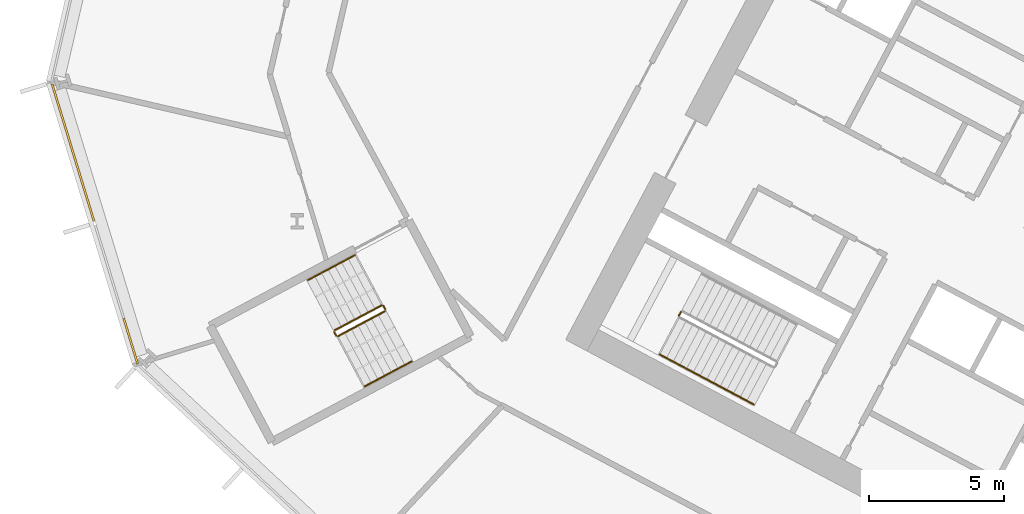
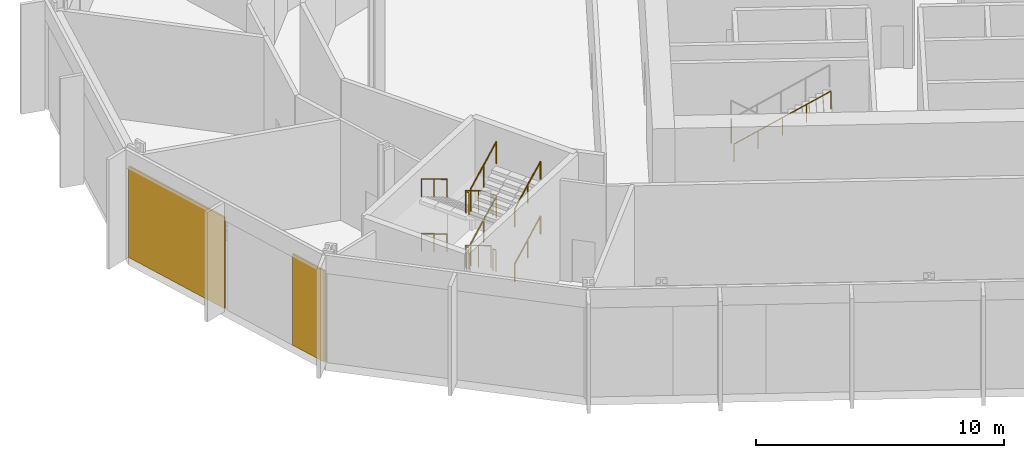
# One storey, part 22 of 31: 14 railings, 2 coverings, 1 element without a shape of its own.
"""IFC4 building model written with IfcOpenShell, lengths in metres."""

from ifc_helpers import new_model, si_unit, direction, frame, origin, origin_2d, place, context, subcontext, project, spatial, polyline, rectangle, outline, extrude, material, layer, layer_set, type_object, element, aggregate, save


model = new_model("IFC4")

# Units and contexts
model_context = context("Model", 3, precision=1e-05, world=origin(), true_north=direction((0.0, 1.0)))
body_context = subcontext(model_context, "Body", "Model", "MODEL_VIEW")
ifc_project = project(units=[si_unit("LENGTHUNIT", "METRE"), si_unit("AREAUNIT", "SQUARE_METRE"), si_unit("VOLUMEUNIT", "CUBIC_METRE"), si_unit("PLANEANGLEUNIT", "RADIAN"), si_unit("MASSUNIT", "GRAM", prefix="KILO")], contexts=[model_context])

# Site, building, storey
site_placement = place(None, origin())
site = spatial("IfcSite", under=ifc_project, at=site_placement, CompositionType="ELEMENT")
building_placement = place(site_placement, origin())
building = spatial("IfcBuilding", under=site, at=building_placement, Name="Cormorant Relay Tower", CompositionType="ELEMENT")
storey_placement = place(building_placement, frame((0.0, 0.0, 23.0)))
storey = spatial("IfcBuildingStorey", under=building, at=storey_placement, Name="L04", CompositionType="ELEMENT", Elevation=23.0)

# Curtain wall, coverings
ifc_material_1 = material(Name="Aluminium 6063-T6 anodised bronze", Category="aluminium")
ifc_layer_1 = layer(ifc_material_1, 0.235107421875)
ifc_layer_set_1 = layer_set([ifc_layer_1], Name="CW6 data hall curtain wall with mineral wool panels")
curtain_wall_type = type_object("IfcCurtainWallType", Name="CW6 data hall curtain wall with mineral wool panels", PredefinedType="NOTDEFINED", material=ifc_layer_set_1)
curtain_wall_placement = place(storey_placement, origin())
curtain_wall = element("IfcCurtainWall", 1, at=curtain_wall_placement, inside=storey, type_object=curtain_wall_type, Name="CW6 curtain wall 12", PredefinedType="NOTDEFINED")
ifc_material_2 = material(Name="Mineral wool cored anodised bronze aluminium cassette panel", Category="aluminium")
ifc_layer_2 = layer(ifc_material_2, 0.074951171875)
ifc_layer_set_2 = layer_set([ifc_layer_2], Name="CW6 mineral wool cassette panel 75")
covering_type = type_object("IfcCoveringType", Name="CW6 mineral wool cassette panel 75", PredefinedType="CLADDING", material=ifc_layer_set_2)
covering_1_placement = place(storey_placement, frame((-59.961181640625, 17.783447265625, 0.0), z_axis=(0.0, 0.0, 1.0), x_axis=(0.292371704723, -0.956304755963, 0.0)))
covering_1 = element("IfcCovering", 2, at=covering_1_placement, type_object=covering_type, Name="CW6 panel S00", PredefinedType="CLADDING", context=body_context, shape_type="SweptSolid", body=[
    extrude(rectangle(XDim=5.28515625, YDim=0.074951171875, at=origin_2d()), origin(), (0.0, 0.0, 1.0), 4.5),
])
covering_2_placement = place(storey_placement, frame((-57.834716796875, 10.82861328125, 0.0), z_axis=(0.0, 0.0, 1.0), x_axis=(0.292371704723, -0.956304755963, 0.0)))
covering_2 = element("IfcCovering", 3, at=covering_2_placement, type_object=covering_type, Name="CW6 panel S02", PredefinedType="CLADDING", context=body_context, shape_type="SweptSolid", body=[
    extrude(rectangle(XDim=1.76025390625, YDim=0.074951171875, at=origin_2d()), origin(), (0.0, 0.0, 1.0), 4.5),
])
aggregate(curtain_wall, [covering_1, covering_2])

# Railings
ifc_material_3 = material(Name="Steel ASTM A572 Grade 50 (Fy 345 MPa)", Category="steel")
railing_type_1 = type_object("IfcRailingType", Name="Stair guard 1100", PredefinedType="GUARDRAIL", material=ifc_material_3)
railing_1_placement = place(storey_placement, frame((-37.52099609375, 11.908935546875, 2.699951171875)))
element("IfcRailing", 4, at=railing_1_placement, inside=storey, type_object=railing_type_1, Name="L04 A2 stair guard 2", PredefinedType="GUARDRAIL", context=body_context, shape_type="SweptSolid", body=[
    extrude(outline(polyline([(0.022216796875, 0.00927734375), (0.00927734375, 0.022216796875), (-0.00927734375, 0.022216796875), (-0.022216796875, 0.00927734375), (-0.022216796875, -0.00927734375), (-0.00927734375, -0.022216796875), (0.00927734375, -0.022216796875), (0.022216796875, -0.00927734375), (0.022216796875, 0.00927734375)])), frame((0.0, 0.0, 1.076171875), z_axis=(-0.469234640946, -0.883073525669, 0.0), x_axis=(0.883073525669, -0.469234640946, 0.0)), (0.0, 0.0, 1.0), 0.14990234375),
    extrude(outline(polyline([(0.019287109375, 0.008056640625), (0.008056640625, 0.019287109375), (-0.008056640625, 0.019287109375), (-0.019287109375, 0.008056640625), (-0.019287109375, -0.008056640625), (-0.008056640625, -0.019287109375), (0.008056640625, -0.019287109375), (0.019287109375, -0.008056640625), (0.019287109375, 0.008056640625)])), origin(), (0.0, 0.0, 1.0), 1.052001953125),
    extrude(outline(polyline([(0.019287109375, 0.008056640625), (0.008056640625, 0.019287109375), (-0.008056640625, 0.019287109375), (-0.019287109375, 0.008056640625), (-0.019287109375, -0.008056640625), (-0.008056640625, -0.019287109375), (0.008056640625, -0.019287109375), (0.019287109375, -0.008056640625), (0.019287109375, 0.008056640625)])), frame((-0.0703125, -0.13232421875, 0.0)), (0.0, 0.0, 1.0), 1.052001953125),
])
railing_2_placement = place(storey_placement, frame((-48.5693359375, 12.155517578125, 0.168701171875)))
element("IfcRailing", 5, at=railing_2_placement, inside=storey, type_object=railing_type_1, Name="L04 RP1 stair guard 1", PredefinedType="GUARDRAIL", context=body_context, shape_type="SweptSolid", body=[
    extrude(outline(polyline([(0.022216796875, 0.00927734375), (0.00927734375, 0.022216796875), (-0.00927734375, 0.022216796875), (-0.022216796875, 0.00927734375), (-0.022216796875, -0.00927734375), (-0.00927734375, -0.022216796875), (0.00927734375, -0.022216796875), (0.022216796875, -0.00927734375), (0.022216796875, 0.00927734375)])), frame((0.0, 0.0, 1.076171875), z_axis=(-0.756226349707, -0.402061942735, 0.516205290765), x_axis=(0.469443581604, -0.882962470149, 0.0)), (0.0, 0.0, 1.0), 2.28857421875),
    extrude(outline(polyline([(0.019287109375, 0.008056640625), (0.008056640625, 0.019287109375), (-0.008056640625, 0.019287109375), (-0.019287109375, 0.008056640625), (-0.019287109375, -0.008056640625), (-0.008056640625, -0.019287109375), (0.008056640625, -0.019287109375), (0.019287109375, -0.008056640625), (0.019287109375, 0.008056640625)])), origin(), (0.0, 0.0, 1.0), 1.052001953125),
    extrude(outline(polyline([(0.019287109375, 0.008056640625), (0.008056640625, 0.019287109375), (-0.008056640625, 0.019287109375), (-0.019287109375, 0.008056640625), (-0.019287109375, -0.008056640625), (-0.008056640625, -0.019287109375), (0.008056640625, -0.019287109375), (0.019287109375, -0.008056640625), (0.019287109375, 0.008056640625)])), frame((-0.865234375, -0.4599609375, 0.5908203125)), (0.0, 0.0, 1.0), 1.052001953125),
    extrude(outline(polyline([(0.019287109375, 0.008056640625), (0.008056640625, 0.019287109375), (-0.008056640625, 0.019287109375), (-0.019287109375, 0.008056640625), (-0.019287109375, -0.008056640625), (-0.008056640625, -0.019287109375), (0.008056640625, -0.019287109375), (0.019287109375, -0.008056640625), (0.019287109375, 0.008056640625)])), frame((-1.730712890625, -0.920166015625, 1.181396484375)), (0.0, 0.0, 1.0), 1.052001953125),
])
railing_3_placement = place(storey_placement, frame((-50.320556640625, 11.167724609375, 1.35009765625)))
element("IfcRailing", 6, at=railing_3_placement, inside=storey, type_object=railing_type_1, Name="L04 RP1 stair guard 2", PredefinedType="GUARDRAIL", context=body_context, shape_type="SweptSolid", body=[
    extrude(outline(polyline([(0.022216796875, 0.00927734375), (0.00927734375, 0.022216796875), (-0.00927734375, 0.022216796875), (-0.022216796875, 0.00927734375), (-0.022216796875, -0.00927734375), (-0.00927734375, -0.022216796875), (0.00927734375, -0.022216796875), (0.022216796875, -0.00927734375), (0.022216796875, 0.00927734375)])), frame((0.0, 0.0, 1.076171875), z_axis=(0.46856034887, -0.8834314911, 0.0), x_axis=(0.8834314911, 0.46856034887, 0.0)), (0.0, 0.0, 1.0), 0.150146484375),
    extrude(outline(polyline([(0.019287109375, 0.008056640625), (0.008056640625, 0.019287109375), (-0.008056640625, 0.019287109375), (-0.019287109375, 0.008056640625), (-0.019287109375, -0.008056640625), (-0.008056640625, -0.019287109375), (0.008056640625, -0.019287109375), (0.019287109375, -0.008056640625), (0.019287109375, 0.008056640625)])), origin(), (0.0, 0.0, 1.0), 1.052001953125),
    extrude(outline(polyline([(0.019287109375, 0.008056640625), (0.008056640625, 0.019287109375), (-0.008056640625, 0.019287109375), (-0.019287109375, 0.008056640625), (-0.019287109375, -0.008056640625), (-0.008056640625, -0.019287109375), (0.008056640625, -0.019287109375), (0.019287109375, -0.008056640625), (0.019287109375, 0.008056640625)])), frame((0.0703125, -0.132568359375, 0.0)), (0.0, 0.0, 1.0), 1.052001953125),
])
railing_4_placement = place(storey_placement, frame((-50.1826171875, 11.014404296875, 1.518798828125)))
element("IfcRailing", 7, at=railing_4_placement, inside=storey, type_object=railing_type_1, Name="L04 RP1 stair guard 3", PredefinedType="GUARDRAIL", context=body_context, shape_type="SweptSolid", body=[
    extrude(outline(polyline([(0.022216796875, 0.00927734375), (0.00927734375, 0.022216796875), (-0.00927734375, 0.022216796875), (-0.022216796875, 0.00927734375), (-0.022216796875, -0.00927734375), (-0.00927734375, -0.022216796875), (0.00927734375, -0.022216796875), (0.022216796875, -0.00927734375), (0.022216796875, 0.00927734375)])), frame((0.0, 0.0, 1.076171875), z_axis=(0.756267991755, 0.402084082512, 0.516127034012), x_axis=(-0.469443581604, 0.882962470149, 0.0)), (0.0, 0.0, 1.0), 2.28857421875),
    extrude(outline(polyline([(0.019287109375, 0.008056640625), (0.008056640625, 0.019287109375), (-0.008056640625, 0.019287109375), (-0.019287109375, 0.008056640625), (-0.019287109375, -0.008056640625), (-0.008056640625, -0.019287109375), (0.008056640625, -0.019287109375), (0.019287109375, -0.008056640625), (0.019287109375, 0.008056640625)])), origin(), (0.0, 0.0, 1.0), 1.052001953125),
    extrude(outline(polyline([(0.019287109375, 0.008056640625), (0.008056640625, 0.019287109375), (-0.008056640625, 0.019287109375), (-0.019287109375, 0.008056640625), (-0.019287109375, -0.008056640625), (-0.008056640625, -0.019287109375), (0.008056640625, -0.019287109375), (0.019287109375, -0.008056640625), (0.019287109375, 0.008056640625)])), frame((0.865234375, 0.4599609375, 0.590576171875)), (0.0, 0.0, 1.0), 1.052001953125),
    extrude(outline(polyline([(0.019287109375, 0.008056640625), (0.008056640625, 0.019287109375), (-0.008056640625, 0.019287109375), (-0.019287109375, 0.008056640625), (-0.019287109375, -0.008056640625), (-0.008056640625, -0.019287109375), (0.008056640625, -0.019287109375), (0.019287109375, -0.008056640625), (0.019287109375, 0.008056640625)])), frame((1.730712890625, 0.920166015625, 1.18115234375)), (0.0, 0.0, 1.0), 1.052001953125),
])
railing_5_placement = place(storey_placement, frame((-48.501708984375, 12.134765625, 2.699951171875)))
element("IfcRailing", 8, at=railing_5_placement, inside=storey, type_object=railing_type_1, Name="L04 RP1 stair guard 4", PredefinedType="GUARDRAIL", context=body_context, shape_type="SweptSolid", body=[
    extrude(outline(polyline([(0.022216796875, 0.00927734375), (0.00927734375, 0.022216796875), (-0.00927734375, 0.022216796875), (-0.022216796875, 0.00927734375), (-0.022216796875, -0.00927734375), (-0.00927734375, -0.022216796875), (0.00927734375, -0.022216796875), (0.022216796875, -0.00927734375), (0.022216796875, 0.00927734375)])), frame((0.0, 0.0, 1.076171875), z_axis=(0.46856034887, -0.8834314911, 0.0), x_axis=(0.8834314911, 0.46856034887, 0.0)), (0.0, 0.0, 1.0), 0.150146484375),
    extrude(outline(polyline([(0.019287109375, 0.008056640625), (0.008056640625, 0.019287109375), (-0.008056640625, 0.019287109375), (-0.019287109375, 0.008056640625), (-0.019287109375, -0.008056640625), (-0.008056640625, -0.019287109375), (0.008056640625, -0.019287109375), (0.019287109375, -0.008056640625), (0.019287109375, 0.008056640625)])), origin(), (0.0, 0.0, 1.0), 1.052001953125),
    extrude(outline(polyline([(0.019287109375, 0.008056640625), (0.008056640625, 0.019287109375), (-0.008056640625, 0.019287109375), (-0.019287109375, 0.008056640625), (-0.019287109375, -0.008056640625), (-0.008056640625, -0.019287109375), (0.008056640625, -0.019287109375), (0.019287109375, -0.008056640625), (0.019287109375, 0.008056640625)])), frame((0.0703125, -0.132568359375, 0.0)), (0.0, 0.0, 1.0), 1.052001953125),
])
railing_6_placement = place(storey_placement, frame((-48.5693359375, 12.155517578125, 2.86865234375)))
element("IfcRailing", 9, at=railing_6_placement, inside=storey, type_object=railing_type_1, Name="L04 RP1 stair guard 5", PredefinedType="GUARDRAIL", context=body_context, shape_type="SweptSolid", body=[
    extrude(outline(polyline([(0.022216796875, 0.00927734375), (0.00927734375, 0.022216796875), (-0.00927734375, 0.022216796875), (-0.022216796875, 0.00927734375), (-0.022216796875, -0.00927734375), (-0.00927734375, -0.022216796875), (0.00927734375, -0.022216796875), (0.022216796875, -0.00927734375), (0.022216796875, 0.00927734375)])), frame((0.0, 0.0, 1.076171875), z_axis=(-0.756226349707, -0.402061942735, 0.516205290765), x_axis=(0.469443581604, -0.882962470149, 0.0)), (0.0, 0.0, 1.0), 2.28857421875),
    extrude(outline(polyline([(0.019287109375, 0.008056640625), (0.008056640625, 0.019287109375), (-0.008056640625, 0.019287109375), (-0.019287109375, 0.008056640625), (-0.019287109375, -0.008056640625), (-0.008056640625, -0.019287109375), (0.008056640625, -0.019287109375), (0.019287109375, -0.008056640625), (0.019287109375, 0.008056640625)])), origin(), (0.0, 0.0, 1.0), 1.052001953125),
    extrude(outline(polyline([(0.019287109375, 0.008056640625), (0.008056640625, 0.019287109375), (-0.008056640625, 0.019287109375), (-0.019287109375, 0.008056640625), (-0.019287109375, -0.008056640625), (-0.008056640625, -0.019287109375), (0.008056640625, -0.019287109375), (0.019287109375, -0.008056640625), (0.019287109375, 0.008056640625)])), frame((-0.865234375, -0.4599609375, 0.5908203125)), (0.0, 0.0, 1.0), 1.052001953125),
    extrude(outline(polyline([(0.019287109375, 0.008056640625), (0.008056640625, 0.019287109375), (-0.008056640625, 0.019287109375), (-0.019287109375, 0.008056640625), (-0.019287109375, -0.008056640625), (-0.008056640625, -0.019287109375), (0.008056640625, -0.019287109375), (0.019287109375, -0.008056640625), (0.019287109375, 0.008056640625)])), frame((-1.730712890625, -0.920166015625, 1.181396484375)), (0.0, 0.0, 1.0), 1.052001953125),
])
railing_7_placement = place(storey_placement, frame((-50.320556640625, 11.167724609375, 4.050048828125)))
element("IfcRailing", 10, at=railing_7_placement, inside=storey, type_object=railing_type_1, Name="L04 RP1 stair guard 6", PredefinedType="GUARDRAIL", context=body_context, shape_type="SweptSolid", body=[
    extrude(outline(polyline([(0.022216796875, 0.00927734375), (0.00927734375, 0.022216796875), (-0.00927734375, 0.022216796875), (-0.022216796875, 0.00927734375), (-0.022216796875, -0.00927734375), (-0.00927734375, -0.022216796875), (0.00927734375, -0.022216796875), (0.022216796875, -0.00927734375), (0.022216796875, 0.00927734375)])), frame((0.0, 0.0, 1.076171875), z_axis=(0.46856034887, -0.8834314911, 0.0), x_axis=(0.8834314911, 0.46856034887, 0.0)), (0.0, 0.0, 1.0), 0.150146484375),
    extrude(outline(polyline([(0.019287109375, 0.008056640625), (0.008056640625, 0.019287109375), (-0.008056640625, 0.019287109375), (-0.019287109375, 0.008056640625), (-0.019287109375, -0.008056640625), (-0.008056640625, -0.019287109375), (0.008056640625, -0.019287109375), (0.019287109375, -0.008056640625), (0.019287109375, 0.008056640625)])), origin(), (0.0, 0.0, 1.0), 1.052001953125),
    extrude(outline(polyline([(0.019287109375, 0.008056640625), (0.008056640625, 0.019287109375), (-0.008056640625, 0.019287109375), (-0.019287109375, 0.008056640625), (-0.019287109375, -0.008056640625), (-0.008056640625, -0.019287109375), (0.008056640625, -0.019287109375), (0.019287109375, -0.008056640625), (0.019287109375, 0.008056640625)])), frame((0.0703125, -0.132568359375, 0.0)), (0.0, 0.0, 1.0), 1.052001953125),
])
railing_8_placement = place(storey_placement, frame((-50.1826171875, 11.014404296875, 4.21875)))
element("IfcRailing", 11, at=railing_8_placement, inside=storey, type_object=railing_type_1, Name="L04 RP1 stair guard 7", PredefinedType="GUARDRAIL", context=body_context, shape_type="SweptSolid", body=[
    extrude(outline(polyline([(0.022216796875, 0.00927734375), (0.00927734375, 0.022216796875), (-0.00927734375, 0.022216796875), (-0.022216796875, 0.00927734375), (-0.022216796875, -0.00927734375), (-0.00927734375, -0.022216796875), (0.00927734375, -0.022216796875), (0.022216796875, -0.00927734375), (0.022216796875, 0.00927734375)])), frame((0.0, 0.0, 1.076171875), z_axis=(0.756267991755, 0.402084082512, 0.516127034012), x_axis=(-0.469443581604, 0.882962470149, 0.0)), (0.0, 0.0, 1.0), 2.28857421875),
    extrude(outline(polyline([(0.019287109375, 0.008056640625), (0.008056640625, 0.019287109375), (-0.008056640625, 0.019287109375), (-0.019287109375, 0.008056640625), (-0.019287109375, -0.008056640625), (-0.008056640625, -0.019287109375), (0.008056640625, -0.019287109375), (0.019287109375, -0.008056640625), (0.019287109375, 0.008056640625)])), origin(), (0.0, 0.0, 1.0), 1.052001953125),
    extrude(outline(polyline([(0.019287109375, 0.008056640625), (0.008056640625, 0.019287109375), (-0.008056640625, 0.019287109375), (-0.019287109375, 0.008056640625), (-0.019287109375, -0.008056640625), (-0.008056640625, -0.019287109375), (0.008056640625, -0.019287109375), (0.019287109375, -0.008056640625), (0.019287109375, 0.008056640625)])), frame((0.865234375, 0.4599609375, 0.590576171875)), (0.0, 0.0, 1.0), 1.052001953125),
    extrude(outline(polyline([(0.019287109375, 0.008056640625), (0.008056640625, 0.019287109375), (-0.008056640625, 0.019287109375), (-0.019287109375, 0.008056640625), (-0.019287109375, -0.008056640625), (-0.008056640625, -0.019287109375), (0.008056640625, -0.019287109375), (0.019287109375, -0.008056640625), (0.019287109375, 0.008056640625)])), frame((1.730712890625, 0.920166015625, 1.18115234375)), (0.0, 0.0, 1.0), 1.052001953125),
])
railing_9_placement = place(storey_placement, frame((-48.501708984375, 12.134765625, 0.0)))
element("IfcRailing", 12, at=railing_9_placement, inside=storey, type_object=railing_type_1, Name="L04 RP1 stair guard 8", PredefinedType="GUARDRAIL", context=body_context, shape_type="SweptSolid", body=[
    extrude(outline(polyline([(0.022216796875, 0.00927734375), (0.00927734375, 0.022216796875), (-0.00927734375, 0.022216796875), (-0.022216796875, 0.00927734375), (-0.022216796875, -0.00927734375), (-0.00927734375, -0.022216796875), (0.00927734375, -0.022216796875), (0.022216796875, -0.00927734375), (0.022216796875, 0.00927734375)])), frame((0.0, 0.0, 1.076171875), z_axis=(0.46856034887, -0.8834314911, 0.0), x_axis=(0.8834314911, 0.46856034887, 0.0)), (0.0, 0.0, 1.0), 0.150146484375),
    extrude(outline(polyline([(0.019287109375, 0.008056640625), (0.008056640625, 0.019287109375), (-0.008056640625, 0.019287109375), (-0.019287109375, 0.008056640625), (-0.019287109375, -0.008056640625), (-0.008056640625, -0.019287109375), (0.008056640625, -0.019287109375), (0.019287109375, -0.008056640625), (0.019287109375, 0.008056640625)])), origin(), (0.0, 0.0, 1.0), 1.052001953125),
    extrude(outline(polyline([(0.019287109375, 0.008056640625), (0.008056640625, 0.019287109375), (-0.008056640625, 0.019287109375), (-0.019287109375, 0.008056640625), (-0.019287109375, -0.008056640625), (-0.008056640625, -0.019287109375), (0.008056640625, -0.019287109375), (0.019287109375, -0.008056640625), (0.019287109375, 0.008056640625)])), frame((0.0703125, -0.132568359375, 0.0)), (0.0, 0.0, 1.0), 1.052001953125),
])
ifc_material_4 = material(Name="Steel ASTM A572 Grade 50 (Fy 345 MPa)", Category="steel")
railing_type_2 = type_object("IfcRailingType", Name="Stair handrail 900", PredefinedType="HANDRAIL", material=ifc_material_4)
railing_10_placement = place(storey_placement, frame((-38.29833984375, 10.34033203125, 2.8798828125)))
element("IfcRailing", 13, at=railing_10_placement, inside=storey, type_object=railing_type_2, Name="L04 A2 stair handrail 2", PredefinedType="HANDRAIL", context=body_context, shape_type="SweptSolid", body=[
    extrude(outline(polyline([(0.022216796875, 0.00927734375), (0.00927734375, 0.022216796875), (-0.00927734375, 0.022216796875), (-0.022216796875, 0.00927734375), (-0.022216796875, -0.00927734375), (-0.00927734375, -0.022216796875), (0.00927734375, -0.022216796875), (0.022216796875, -0.00927734375), (0.022216796875, 0.00927734375)])), frame((0.0, 0.0, 0.8759765625), z_axis=(0.74271721126, -0.394907409077, 0.540758062681), x_axis=(0.469469396681, 0.882948744594, 0.0)), (0.0, 0.0, 1.0), 4.66015625),
    extrude(outline(polyline([(0.019287109375, 0.008056640625), (0.008056640625, 0.019287109375), (-0.008056640625, 0.019287109375), (-0.019287109375, 0.008056640625), (-0.019287109375, -0.008056640625), (-0.008056640625, -0.019287109375), (0.008056640625, -0.019287109375), (0.019287109375, -0.008056640625), (0.019287109375, 0.008056640625)])), origin(), (0.0, 0.0, 1.0), 0.851806640625),
    extrude(outline(polyline([(0.019287109375, 0.008056640625), (0.008056640625, 0.019287109375), (-0.008056640625, 0.019287109375), (-0.019287109375, 0.008056640625), (-0.019287109375, -0.008056640625), (-0.008056640625, -0.019287109375), (0.008056640625, -0.019287109375), (0.019287109375, -0.008056640625), (0.019287109375, 0.008056640625)])), frame((0.865234375, -0.4599609375, 0.6298828125)), (0.0, 0.0, 1.0), 0.851806640625),
    extrude(outline(polyline([(0.019287109375, 0.008056640625), (0.008056640625, 0.019287109375), (-0.008056640625, 0.019287109375), (-0.019287109375, 0.008056640625), (-0.019287109375, -0.008056640625), (-0.008056640625, -0.019287109375), (0.008056640625, -0.019287109375), (0.019287109375, -0.008056640625), (0.019287109375, 0.008056640625)])), frame((1.73046875, -0.920166015625, 1.260009765625)), (0.0, 0.0, 1.0), 0.851806640625),
    extrude(outline(polyline([(0.019287109375, 0.008056640625), (0.008056640625, 0.019287109375), (-0.008056640625, 0.019287109375), (-0.019287109375, 0.008056640625), (-0.019287109375, -0.008056640625), (-0.008056640625, -0.019287109375), (0.008056640625, -0.019287109375), (0.019287109375, -0.008056640625), (0.019287109375, 0.008056640625)])), frame((2.595947265625, -1.38037109375, 1.89013671875)), (0.0, 0.0, 1.0), 0.851806640625),
    extrude(outline(polyline([(0.019287109375, 0.008056640625), (0.008056640625, 0.019287109375), (-0.008056640625, 0.019287109375), (-0.019287109375, 0.008056640625), (-0.019287109375, -0.008056640625), (-0.008056640625, -0.019287109375), (0.008056640625, -0.019287109375), (0.019287109375, -0.008056640625), (0.019287109375, 0.008056640625)])), frame((3.461181640625, -1.84033203125, 2.52001953125)), (0.0, 0.0, 1.0), 0.851806640625),
])
railing_11_placement = place(storey_placement, frame((-49.55517578125, 14.009521484375, 0.168701171875)))
element("IfcRailing", 14, at=railing_11_placement, inside=storey, type_object=railing_type_2, Name="L04 RP1 stair handrail 1", PredefinedType="HANDRAIL", context=body_context, shape_type="SweptSolid", body=[
    extrude(outline(polyline([(0.022216796875, 0.00927734375), (0.00927734375, 0.022216796875), (-0.00927734375, 0.022216796875), (-0.022216796875, 0.00927734375), (-0.022216796875, -0.00927734375), (-0.00927734375, -0.022216796875), (0.00927734375, -0.022216796875), (0.022216796875, -0.00927734375), (0.022216796875, 0.00927734375)])), frame((0.0, 0.0, 0.8759765625), z_axis=(-0.756226349707, -0.402061942735, 0.516205290765), x_axis=(0.469443581604, -0.882962470149, 0.0)), (0.0, 0.0, 1.0), 2.28857421875),
    extrude(outline(polyline([(0.019287109375, 0.008056640625), (0.008056640625, 0.019287109375), (-0.008056640625, 0.019287109375), (-0.019287109375, 0.008056640625), (-0.019287109375, -0.008056640625), (-0.008056640625, -0.019287109375), (0.008056640625, -0.019287109375), (0.019287109375, -0.008056640625), (0.019287109375, 0.008056640625)])), origin(), (0.0, 0.0, 1.0), 0.851806640625),
    extrude(outline(polyline([(0.019287109375, 0.008056640625), (0.008056640625, 0.019287109375), (-0.008056640625, 0.019287109375), (-0.019287109375, 0.008056640625), (-0.019287109375, -0.008056640625), (-0.008056640625, -0.019287109375), (0.008056640625, -0.019287109375), (0.019287109375, -0.008056640625), (0.019287109375, 0.008056640625)])), frame((-0.865234375, -0.4599609375, 0.5908203125)), (0.0, 0.0, 1.0), 0.851806640625),
    extrude(outline(polyline([(0.019287109375, 0.008056640625), (0.008056640625, 0.019287109375), (-0.008056640625, 0.019287109375), (-0.019287109375, 0.008056640625), (-0.019287109375, -0.008056640625), (-0.008056640625, -0.019287109375), (0.008056640625, -0.019287109375), (0.019287109375, -0.008056640625), (0.019287109375, 0.008056640625)])), frame((-1.730712890625, -0.920166015625, 1.181396484375)), (0.0, 0.0, 1.0), 0.851806640625),
])
railing_12_placement = place(storey_placement, frame((-49.19677734375, 9.160400390625, 1.518798828125)))
element("IfcRailing", 15, at=railing_12_placement, inside=storey, type_object=railing_type_2, Name="L04 RP1 stair handrail 2", PredefinedType="HANDRAIL", context=body_context, shape_type="SweptSolid", body=[
    extrude(outline(polyline([(0.022216796875, 0.00927734375), (0.00927734375, 0.022216796875), (-0.00927734375, 0.022216796875), (-0.022216796875, 0.00927734375), (-0.022216796875, -0.00927734375), (-0.00927734375, -0.022216796875), (0.00927734375, -0.022216796875), (0.022216796875, -0.00927734375), (0.022216796875, 0.00927734375)])), frame((0.0, 0.0, 0.8759765625), z_axis=(0.756267991755, 0.402084082512, 0.516127034012), x_axis=(-0.469443581604, 0.882962470149, 0.0)), (0.0, 0.0, 1.0), 2.28857421875),
    extrude(outline(polyline([(0.019287109375, 0.008056640625), (0.008056640625, 0.019287109375), (-0.008056640625, 0.019287109375), (-0.019287109375, 0.008056640625), (-0.019287109375, -0.008056640625), (-0.008056640625, -0.019287109375), (0.008056640625, -0.019287109375), (0.019287109375, -0.008056640625), (0.019287109375, 0.008056640625)])), origin(), (0.0, 0.0, 1.0), 0.851806640625),
    extrude(outline(polyline([(0.019287109375, 0.008056640625), (0.008056640625, 0.019287109375), (-0.008056640625, 0.019287109375), (-0.019287109375, 0.008056640625), (-0.019287109375, -0.008056640625), (-0.008056640625, -0.019287109375), (0.008056640625, -0.019287109375), (0.019287109375, -0.008056640625), (0.019287109375, 0.008056640625)])), frame((0.865234375, 0.4599609375, 0.590576171875)), (0.0, 0.0, 1.0), 0.851806640625),
    extrude(outline(polyline([(0.019287109375, 0.008056640625), (0.008056640625, 0.019287109375), (-0.008056640625, 0.019287109375), (-0.019287109375, 0.008056640625), (-0.019287109375, -0.008056640625), (-0.008056640625, -0.019287109375), (0.008056640625, -0.019287109375), (0.019287109375, -0.008056640625), (0.019287109375, 0.008056640625)])), frame((1.730712890625, 0.920166015625, 1.18115234375)), (0.0, 0.0, 1.0), 0.851806640625),
])
railing_13_placement = place(storey_placement, frame((-49.55517578125, 14.009521484375, 2.86865234375)))
element("IfcRailing", 16, at=railing_13_placement, inside=storey, type_object=railing_type_2, Name="L04 RP1 stair handrail 3", PredefinedType="HANDRAIL", context=body_context, shape_type="SweptSolid", body=[
    extrude(outline(polyline([(0.022216796875, 0.00927734375), (0.00927734375, 0.022216796875), (-0.00927734375, 0.022216796875), (-0.022216796875, 0.00927734375), (-0.022216796875, -0.00927734375), (-0.00927734375, -0.022216796875), (0.00927734375, -0.022216796875), (0.022216796875, -0.00927734375), (0.022216796875, 0.00927734375)])), frame((0.0, 0.0, 0.8759765625), z_axis=(-0.756226349707, -0.402061942735, 0.516205290765), x_axis=(0.469443581604, -0.882962470149, 0.0)), (0.0, 0.0, 1.0), 2.28857421875),
    extrude(outline(polyline([(0.019287109375, 0.008056640625), (0.008056640625, 0.019287109375), (-0.008056640625, 0.019287109375), (-0.019287109375, 0.008056640625), (-0.019287109375, -0.008056640625), (-0.008056640625, -0.019287109375), (0.008056640625, -0.019287109375), (0.019287109375, -0.008056640625), (0.019287109375, 0.008056640625)])), origin(), (0.0, 0.0, 1.0), 0.851806640625),
    extrude(outline(polyline([(0.019287109375, 0.008056640625), (0.008056640625, 0.019287109375), (-0.008056640625, 0.019287109375), (-0.019287109375, 0.008056640625), (-0.019287109375, -0.008056640625), (-0.008056640625, -0.019287109375), (0.008056640625, -0.019287109375), (0.019287109375, -0.008056640625), (0.019287109375, 0.008056640625)])), frame((-0.865234375, -0.4599609375, 0.5908203125)), (0.0, 0.0, 1.0), 0.851806640625),
    extrude(outline(polyline([(0.019287109375, 0.008056640625), (0.008056640625, 0.019287109375), (-0.008056640625, 0.019287109375), (-0.019287109375, 0.008056640625), (-0.019287109375, -0.008056640625), (-0.008056640625, -0.019287109375), (0.008056640625, -0.019287109375), (0.019287109375, -0.008056640625), (0.019287109375, 0.008056640625)])), frame((-1.730712890625, -0.920166015625, 1.181396484375)), (0.0, 0.0, 1.0), 0.851806640625),
])
railing_14_placement = place(storey_placement, frame((-49.19677734375, 9.160400390625, 4.21875)))
element("IfcRailing", 17, at=railing_14_placement, inside=storey, type_object=railing_type_2, Name="L04 RP1 stair handrail 4", PredefinedType="HANDRAIL", context=body_context, shape_type="SweptSolid", body=[
    extrude(outline(polyline([(0.022216796875, 0.00927734375), (0.00927734375, 0.022216796875), (-0.00927734375, 0.022216796875), (-0.022216796875, 0.00927734375), (-0.022216796875, -0.00927734375), (-0.00927734375, -0.022216796875), (0.00927734375, -0.022216796875), (0.022216796875, -0.00927734375), (0.022216796875, 0.00927734375)])), frame((0.0, 0.0, 0.8759765625), z_axis=(0.756267991755, 0.402084082512, 0.516127034012), x_axis=(-0.469443581604, 0.882962470149, 0.0)), (0.0, 0.0, 1.0), 2.28857421875),
    extrude(outline(polyline([(0.019287109375, 0.008056640625), (0.008056640625, 0.019287109375), (-0.008056640625, 0.019287109375), (-0.019287109375, 0.008056640625), (-0.019287109375, -0.008056640625), (-0.008056640625, -0.019287109375), (0.008056640625, -0.019287109375), (0.019287109375, -0.008056640625), (0.019287109375, 0.008056640625)])), origin(), (0.0, 0.0, 1.0), 0.851806640625),
    extrude(outline(polyline([(0.019287109375, 0.008056640625), (0.008056640625, 0.019287109375), (-0.008056640625, 0.019287109375), (-0.019287109375, 0.008056640625), (-0.019287109375, -0.008056640625), (-0.008056640625, -0.019287109375), (0.008056640625, -0.019287109375), (0.019287109375, -0.008056640625), (0.019287109375, 0.008056640625)])), frame((0.865234375, 0.4599609375, 0.590576171875)), (0.0, 0.0, 1.0), 0.851806640625),
    extrude(outline(polyline([(0.019287109375, 0.008056640625), (0.008056640625, 0.019287109375), (-0.008056640625, 0.019287109375), (-0.019287109375, 0.008056640625), (-0.019287109375, -0.008056640625), (-0.008056640625, -0.019287109375), (0.008056640625, -0.019287109375), (0.019287109375, -0.008056640625), (0.019287109375, 0.008056640625)])), frame((1.730712890625, 0.920166015625, 1.18115234375)), (0.0, 0.0, 1.0), 0.851806640625),
])

save(model, "model.ifc")
